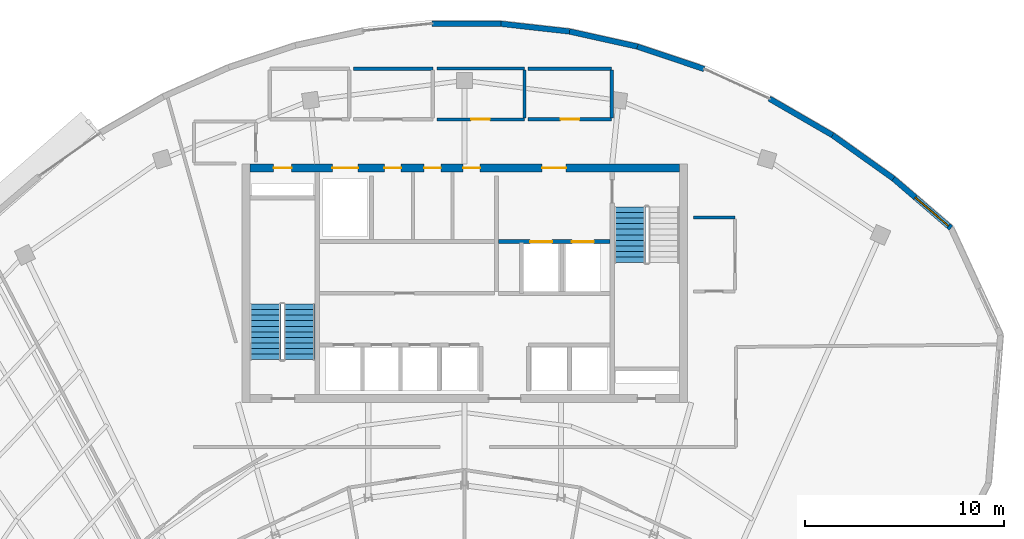
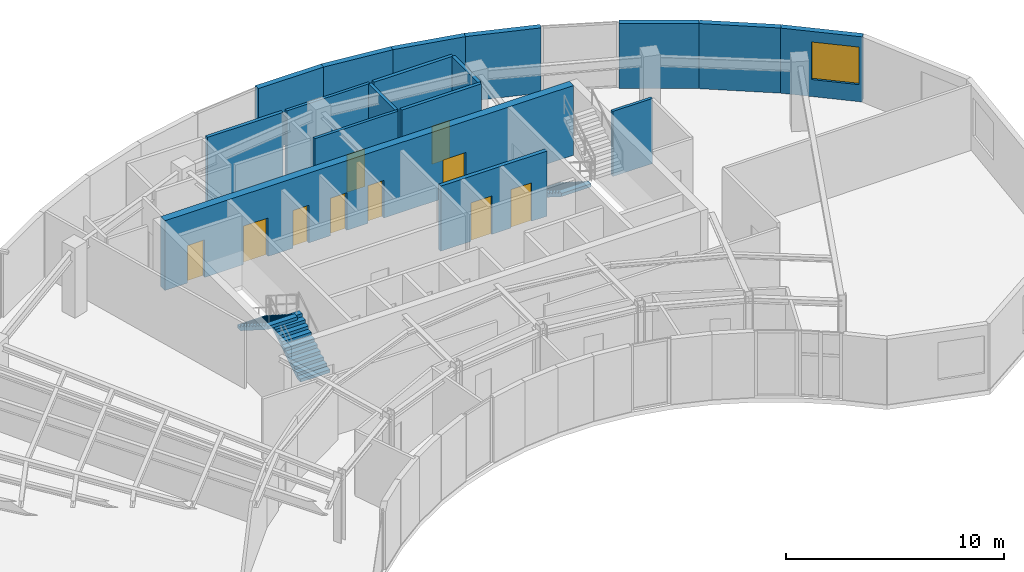
# One storey, part 11 of 13: 17 walls, 10 doors, 3 stair flights, 1 window, 11 openings, 2 elements without a shape of their own.
"""IFC4 building model written with IfcOpenShell, lengths in metres."""

import ifcopenshell
import ifcopenshell.guid

model = None  # the IFC model being written
_history = None  # IfcOwnerHistory: only IFC2X3 demands one
_inside = {}  # id of a spatial element -> (the spatial element, [elements in it])
_under = {}  # id of a project, library or spatial element -> (it, [spatial elements below it])
_declared = {}  # id of a project -> (the project, [libraries it declares])
_typed = {}  # id of a type object -> (the type object, [elements of that type])
_made_of = {}  # id of a material, layer set ... -> (it, [elements and type objects made of it])


def new_model(schema):
    """Start an empty IFC model of exactly this schema.

    Asked for "IFC4X3", IfcOpenShell would pick the latest addendum, in which some entities
    have other attributes; the version numbers below select the first issue.
    IFC2X3 requires an IfcOwnerHistory on every rooted entity: one is made here for all.
    """
    global model, _history
    if schema == "IFC4X3":
        model = ifcopenshell.file(schema_version=(4, 3, 0, 0))
    else:
        model = ifcopenshell.file(schema=schema)
    _inside.clear()
    _under.clear()
    _declared.clear()
    _typed.clear()
    _made_of.clear()
    _history = None
    if model.schema == "IFC2X3":
        org = make("IfcOrganization", Name="unknown")
        user = make(
            "IfcPersonAndOrganization",
            ThePerson=make("IfcPerson", FamilyName="unknown"),
            TheOrganization=org,
        )
        app = make(
            "IfcApplication",
            ApplicationDeveloper=org,
            Version="unknown",
            ApplicationFullName="unknown",
            ApplicationIdentifier="unknown",
        )
        _history = make(
            "IfcOwnerHistory",
            OwningUser=user,
            OwningApplication=app,
            ChangeAction="ADDED",
            CreationDate=0,
        )
    return model


def make(cls, **values):
    """One entity of the class cls with the attributes given. An attribute that is None is left unset."""
    return model.create_entity(
        cls, **{name: value for name, value in values.items() if value is not None}
    )


def rooted(cls, **values):
    """An entity with a GlobalId (a new one), such as an element, a storey or a relation."""
    return make(cls, GlobalId=ifcopenshell.guid.new(), OwnerHistory=_history, **values)


def si_unit(unit_type, name, prefix=None):
    """IfcSIUnit, for example si_unit("LENGTHUNIT", "METRE", prefix="MILLI")."""
    return make("IfcSIUnit", UnitType=unit_type, Prefix=prefix, Name=name)


def assignment(units):
    """IfcUnitAssignment: the units of a project."""
    return None if units is None else make("IfcUnitAssignment", Units=units)


def point(xyz):
    """IfcCartesianPoint."""
    return None if xyz is None else make("IfcCartesianPoint", Coordinates=xyz)


def direction(xyz):
    """IfcDirection."""
    return None if xyz is None else make("IfcDirection", DirectionRatios=xyz)


def frame(location, z_axis=None, x_axis=None):
    """IfcAxis2Placement3D, a coordinate frame: its origin and axes. An axis left out is left unset."""
    return make(
        "IfcAxis2Placement3D",
        Location=point(location),
        Axis=direction(z_axis),
        RefDirection=direction(x_axis),
    )


def frame_2d(location, x_axis=None):
    """IfcAxis2Placement2D, a coordinate frame in the plane: its origin and x axis."""
    return make(
        "IfcAxis2Placement2D", Location=point(location), RefDirection=direction(x_axis)
    )


def origin():
    """The frame at (0, 0, 0) with its axes left unset."""
    return frame((0.0, 0.0, 0.0))


def place(relative_to, where):
    """IfcLocalPlacement: puts the frame where relative to a parent placement (None: the world)."""
    return make(
        "IfcLocalPlacement", PlacementRelTo=relative_to, RelativePlacement=where
    )


def context(
    kind, dimensions, precision=None, world=None, true_north=None, identifier=None
):
    """IfcGeometricRepresentationContext, for example the 3D "Model" context."""
    return make(
        "IfcGeometricRepresentationContext",
        ContextIdentifier=identifier,
        ContextType=kind,
        CoordinateSpaceDimension=dimensions,
        Precision=precision,
        WorldCoordinateSystem=world,
        TrueNorth=true_north,
    )


def subcontext(parent, identifier, kind, view, scale=None):
    """IfcGeometricRepresentationSubContext, for example "Body" below "Model"."""
    return make(
        "IfcGeometricRepresentationSubContext",
        ContextIdentifier=identifier,
        ContextType=kind,
        ParentContext=parent,
        TargetScale=scale,
        TargetView=view,
    )


def project(units=None, contexts=None):
    """IfcProject with its units and contexts."""
    return rooted(
        "IfcProject",
        Name="project",
        RepresentationContexts=contexts,
        UnitsInContext=assignment(units),
    )


def spatial(cls, under=None, at=None, **own):
    """A site, building, storey or space (cls), placed at a placement, below another one or the project."""
    s = rooted(cls, ObjectPlacement=at, **own)
    if under is not None:
        _under.setdefault(under.id(), (under, []))[1].append(s)
    return s


def polyline(points):
    """IfcPolyline through the points."""
    return make("IfcPolyline", Points=[point(p) for p in points])


def profile(cls, at=None, kind="AREA", **sizes):
    """A parametric profile (cls). Its sizes go by their IFC names, for example OverallWidth=200.0."""
    return make(cls, ProfileType=kind, Position=at, **sizes)


def rectangle(**sizes):
    """IfcRectangleProfileDef."""
    return profile("IfcRectangleProfileDef", **sizes)


def outline(outer, holes=None, kind="AREA"):
    """IfcArbitraryClosedProfileDef: a profile drawn as a closed curve; with holes, ...WithVoids."""
    if holes is None:
        return make("IfcArbitraryClosedProfileDef", ProfileType=kind, OuterCurve=outer)
    return make(
        "IfcArbitraryProfileDefWithVoids",
        ProfileType=kind,
        OuterCurve=outer,
        InnerCurves=holes,
    )


def extrude(swept, where, along, depth):
    """IfcExtrudedAreaSolid: the profile swept, set in the frame where, extruded along a direction by depth."""
    return make(
        "IfcExtrudedAreaSolid",
        SweptArea=swept,
        Position=where,
        ExtrudedDirection=direction(along),
        Depth=depth,
    )


def shape(context_of_items, identifier, shape_type, items):
    """IfcShapeRepresentation: the items that make up one representation, for example the "Body"."""
    return make(
        "IfcShapeRepresentation",
        ContextOfItems=context_of_items,
        RepresentationIdentifier=identifier,
        RepresentationType=shape_type,
        Items=items,
    )


def source(mapping_origin, context_of_items, identifier, shape_type, items):
    """IfcRepresentationMap: a shape defined once, which mapped items show again and again."""
    return make(
        "IfcRepresentationMap",
        MappingOrigin=mapping_origin,
        MappedRepresentation=shape(context_of_items, identifier, shape_type, items),
    )


def transform(
    local_origin,
    x_axis=None,
    y_axis=None,
    z_axis=None,
    scale=None,
    scale2=None,
    scale3=None,
    uniform=True,
):
    """IfcCartesianTransformationOperator3D, or its non-uniform kind. x_axis, y_axis, z_axis: its Axis1, 2, 3."""
    if uniform:
        return make(
            "IfcCartesianTransformationOperator3D",
            Axis1=direction(x_axis),
            Axis2=direction(y_axis),
            LocalOrigin=point(local_origin),
            Scale=scale,
            Axis3=direction(z_axis),
        )
    return make(
        "IfcCartesianTransformationOperator3DnonUniform",
        Axis1=direction(x_axis),
        Axis2=direction(y_axis),
        LocalOrigin=point(local_origin),
        Scale=scale,
        Axis3=direction(z_axis),
        Scale2=scale2,
        Scale3=scale3,
    )


def mapped(mapping_source, mapping_target):
    """IfcMappedItem: shows the shape of a source again, moved by a transform."""
    return make(
        "IfcMappedItem", MappingSource=mapping_source, MappingTarget=mapping_target
    )


def material(Name=None, Category=None):
    """IfcMaterial."""
    return make("IfcMaterial", Name=Name, Category=Category)


def layer(
    of_material, thickness, ventilated=None, Name=None, Category=None, Priority=None
):
    """IfcMaterialLayer: one layer of a wall or slab, of a material (None: an air gap)."""
    return make(
        "IfcMaterialLayer",
        Material=of_material,
        LayerThickness=thickness,
        IsVentilated=ventilated,
        Name=Name,
        Category=Category,
        Priority=Priority,
    )


def layer_set(layers, Name=None):
    """IfcMaterialLayerSet."""
    return make("IfcMaterialLayerSet", MaterialLayers=layers, LayerSetName=Name)


def made_of(thing, what):
    """Note that an element or type object is made of a material, layer set ...; save() writes the relation."""
    if what is not None:
        _made_of.setdefault(what.id(), (what, []))[1].append(thing)
    return thing


def type_object(cls, material=None, **own):
    """A type object (cls), such as IfcWallType, which elements share."""
    return made_of(rooted(cls, **own), material)


def type_shapes(of_type, sources):
    """Give a type object the sources (RepresentationMaps) that its elements show as mapped items."""
    of_type.RepresentationMaps = sources


def element(
    cls,
    number,
    at=None,
    inside=None,
    cuts=None,
    type_object=None,
    material=None,
    context=None,
    identifier="Body",
    shape_type=None,
    held_by="IfcProductDefinitionShape",
    body=None,
    shapes=None,
    **own,
):
    """One element of the class cls, such as IfcWall. Its Tag is "e" and its number.

    at: its placement. inside: the storey or other place that contains it. cuts: it is an
    opening in that element (IfcRelVoidsElement). A single representation is given by context,
    identifier, shape_type and body (its items); several are given by shapes. held_by: the class
    of the entity that holds the representations. save() writes the other relations.
    """
    e = rooted(cls, Tag="e%d" % number, ObjectPlacement=at, **own)
    if body is not None:
        shapes = [shape(context, identifier, shape_type, body)]
    if shapes is not None:
        e.Representation = make(held_by, Representations=shapes)
    if inside is not None:
        _inside.setdefault(inside.id(), (inside, []))[1].append(e)
    if cuts is not None:
        rooted(
            "IfcRelVoidsElement", RelatingBuildingElement=cuts, RelatedOpeningElement=e
        )
    if type_object is not None:
        _typed.setdefault(type_object.id(), (type_object, []))[1].append(e)
    return made_of(e, material)


def fill(opening, filler):
    """IfcRelFillsElement: the door or window that sits in an opening."""
    return rooted(
        "IfcRelFillsElement",
        RelatingOpeningElement=opening,
        RelatedBuildingElement=filler,
    )


def aggregate(whole, parts):
    """IfcRelAggregates: a whole, such as a stair, and the parts it consists of."""
    return rooted("IfcRelAggregates", RelatingObject=whole, RelatedObjects=parts)


def save(model, path):
    """Write the relations noted so far, then the file.

    IfcRelAggregates (storeys below a building ...), IfcRelContainedInSpatialStructure (elements
    in a storey), IfcRelDefinesByType, IfcRelAssociatesMaterial and IfcRelDeclares: one each for
    every whole, place, type object, material and project.
    """
    for whole, parts in _under.values():
        aggregate(whole, parts)
    for where, things in _inside.values():
        rooted(
            "IfcRelContainedInSpatialStructure",
            RelatedElements=things,
            RelatingStructure=where,
        )
    for kind, things in _typed.values():
        rooted("IfcRelDefinesByType", RelatedObjects=things, RelatingType=kind)
    for what, things in _made_of.values():
        rooted("IfcRelAssociatesMaterial", RelatedObjects=things, RelatingMaterial=what)
    for by, libraries in _declared.values():
        rooted("IfcRelDeclares", RelatingContext=by, RelatedDefinitions=libraries)
    model.write(path)


model = new_model("IFC4")

# Units and contexts
model_context = context("Model", 3, precision=1e-05, world=origin(), true_north=direction((0.0, 1.0)))
body_context = subcontext(model_context, "Body", "Model", "MODEL_VIEW")
ifc_project = project(units=[si_unit("LENGTHUNIT", "METRE"), si_unit("AREAUNIT", "SQUARE_METRE"), si_unit("VOLUMEUNIT", "CUBIC_METRE"), si_unit("PLANEANGLEUNIT", "RADIAN"), si_unit("MASSUNIT", "GRAM", prefix="KILO")], contexts=[model_context])

# Site, building, storey
site_placement = place(None, origin())
site = spatial("IfcSite", under=ifc_project, at=site_placement, CompositionType="ELEMENT")
building_placement = place(site_placement, origin())
building = spatial("IfcBuilding", under=site, at=building_placement, Name="Breltana Convention Tower", CompositionType="ELEMENT")
storey_placement = place(building_placement, frame((0.0, 0.0, 271.800048828125)))
storey = spatial("IfcBuildingStorey", under=building, at=storey_placement, Name="L66", CompositionType="ELEMENT", Elevation=271.800048828125)

# Wall, openings, doors
ifc_material_1 = material(Name="Concrete C50/60", Category="concrete")
ifc_layer_1 = layer(ifc_material_1, 0.39990234375, Name="Concrete C50/60")
ifc_layer_set_1 = layer_set([ifc_layer_1], Name="Concrete C50/60")
wall_type_1 = type_object("IfcWallType", Name="SW-CORE-400", PredefinedType="SHEAR", material=ifc_layer_set_1)
shared_shape_1 = source(origin(), body_context, "Body", "SweptSolid", [
    extrude(rectangle(XDim=21.60009765625, YDim=0.39990234375, at=frame_2d((10.800048828125, 0.0))), origin(), (0.0, 0.0, 1.0), 3.89990234375),
])
wall_1_placement = place(storey_placement, frame((37.199951171875, 72.0, 0.0), z_axis=(0.0, 0.0, 1.0), x_axis=(1.0, 0.0, 0.0)))
wall_1 = element("IfcWall", 1, at=wall_1_placement, inside=storey, type_object=wall_type_1, Name="L66 North Core Shear Wall", PredefinedType="SHEAR", context=body_context, shape_type="MappedRepresentation", body=[
    mapped(shared_shape_1, transform((0.0, 0.0, 0.0), scale=1.0)),
])
opening_1_placement = place(wall_1_placement, frame((1.199951171875, 0.0, 0.0)))
opening_1 = element("IfcOpeningElement", 2, at=opening_1_placement, cuts=wall_1, Name="Opening D-18", PredefinedType="OPENING", context=body_context, shape_type="SweptSolid", body=[
    extrude(rectangle(XDim=0.89990234375, YDim=2.10009765625, at=frame_2d((0.449951171875, 1.050048828125))), frame((0.0, 0.2099609375, 0.0), z_axis=(0.0, -1.0, 0.0), x_axis=(1.0, 0.0, 0.0)), (0.0, 0.0, 1.0), 0.419921875),
])
opening_2_placement = place(wall_1_placement, frame((14.699951171875, 0.0, 0.0)))
opening_2 = element("IfcOpeningElement", 3, at=opening_2_placement, cuts=wall_1, Name="Opening D-09", PredefinedType="OPENING", context=body_context, shape_type="SweptSolid", body=[
    extrude(rectangle(XDim=1.199951171875, YDim=2.14990234375, at=frame_2d((0.60009765625, 1.074951171875))), frame((0.0, 0.2099609375, 0.0), z_axis=(0.0, -1.0, 0.0), x_axis=(1.0, 0.0, 0.0)), (0.0, 0.0, 1.0), 0.419921875),
])
opening_3_placement = place(wall_1_placement, frame((4.14990234375, 0.0, 0.0)))
opening_3 = element("IfcOpeningElement", 4, at=opening_3_placement, cuts=wall_1, Name="Opening LD-01", PredefinedType="OPENING", context=body_context, shape_type="SweptSolid", body=[
    extrude(rectangle(XDim=1.300048828125, YDim=2.14990234375, at=frame_2d((0.64990234375, 1.074951171875))), frame((0.0, 0.2099609375, 0.0), z_axis=(0.0, -1.0, 0.0), x_axis=(1.0, 0.0, 0.0)), (0.0, 0.0, 1.0), 0.419921875),
])
opening_4_placement = place(wall_1_placement, frame((6.760009765625, 0.0, 0.0)))
opening_4 = element("IfcOpeningElement", 5, at=opening_4_placement, cuts=wall_1, Name="Opening D-20", PredefinedType="OPENING", context=body_context, shape_type="SweptSolid", body=[
    extrude(rectangle(XDim=0.85009765625, YDim=2.10009765625, at=frame_2d((0.425048828125, 1.050048828125))), frame((0.0, 0.2099609375, 0.0), z_axis=(0.0, -1.0, 0.0), x_axis=(1.0, 0.0, 0.0)), (0.0, 0.0, 1.0), 0.419921875),
])
opening_5_placement = place(wall_1_placement, frame((8.760009765625, 0.0, 0.0)))
opening_5 = element("IfcOpeningElement", 6, at=opening_5_placement, cuts=wall_1, Name="Opening D-20", PredefinedType="OPENING", context=body_context, shape_type="SweptSolid", body=[
    extrude(rectangle(XDim=0.85009765625, YDim=2.10009765625, at=frame_2d((0.425048828125, 1.050048828125))), frame((0.0, 0.2099609375, 0.0), z_axis=(0.0, -1.0, 0.0), x_axis=(1.0, 0.0, 0.0)), (0.0, 0.0, 1.0), 0.419921875),
])
opening_6_placement = place(wall_1_placement, frame((10.72509765625, 0.0, 0.0)))
opening_6 = element("IfcOpeningElement", 7, at=opening_6_placement, cuts=wall_1, Name="Opening D-20", PredefinedType="OPENING", context=body_context, shape_type="SweptSolid", body=[
    extrude(rectangle(XDim=0.85009765625, YDim=2.10009765625, at=frame_2d((0.425048828125, 1.050048828125))), frame((0.0, 0.2099609375, 0.0), z_axis=(0.0, -1.0, 0.0), x_axis=(1.0, 0.0, 0.0)), (0.0, 0.0, 1.0), 0.419921875),
])
ifc_material_2 = material(Name="Steel Riser Fire Door", Category="steel")
door_type_1 = type_object("IfcDoorType", Name="DR-FD60-900", OperationType="NOTDEFINED", PredefinedType="DOOR", material=ifc_material_2)
shared_shape_2 = source(origin(), body_context, "Body", "SweptSolid", [
    extrude(rectangle(XDim=0.89990234375, YDim=2.10009765625, at=frame_2d((0.449951171875, 1.050048828125))), frame((0.0, 0.02490234375, 0.0), z_axis=(0.0, -1.0, 0.0), x_axis=(1.0, 0.0, 0.0)), (0.0, 0.0, 1.0), 0.050048828125),
])
type_shapes(door_type_1, [shared_shape_2])
door_1_placement = place(opening_1_placement, origin())
door_1 = element("IfcDoor", 8, at=door_1_placement, inside=storey, type_object=door_type_1, Name="L66 Core Riser Access Door D-L66-RS1", OperationType="SINGLE_SWING_LEFT", OverallHeight=2.10009765625, OverallWidth=0.89990234375, PredefinedType="DOOR", context=body_context, shape_type="MappedRepresentation", body=[
    mapped(shared_shape_2, transform((0.0, 0.0, 0.0), scale=1.0)),
])
fill(opening_1, door_1)
ifc_material_3 = material(Name="Steel Fire Lobby Door", Category="steel")
door_type_2 = type_object("IfcDoorType", Name="DR-FD120-1200", OperationType="NOTDEFINED", PredefinedType="DOOR", material=ifc_material_3)
shared_shape_3 = source(origin(), body_context, "Body", "SweptSolid", [
    extrude(rectangle(XDim=1.199951171875, YDim=2.14990234375, at=frame_2d((0.60009765625, 1.074951171875))), frame((0.0, 0.02490234375, 0.0), z_axis=(0.0, -1.0, 0.0), x_axis=(1.0, 0.0, 0.0)), (0.0, 0.0, 1.0), 0.050048828125),
])
type_shapes(door_type_2, [shared_shape_3])
door_2_placement = place(opening_2_placement, origin())
door_2 = element("IfcDoor", 9, at=door_2_placement, inside=storey, type_object=door_type_2, Name="L66 interior door D-L66-FFL-N", OperationType="SINGLE_SWING_RIGHT", OverallHeight=2.14990234375, OverallWidth=1.199951171875, PredefinedType="DOOR", context=body_context, shape_type="MappedRepresentation", body=[
    mapped(shared_shape_3, transform((0.0, 0.0, 0.0), scale=1.0)),
])
fill(opening_2, door_2)
ifc_material_4 = material(Name="Stainless Steel Brushed", Category="steel")
door_type_3 = type_object("IfcDoorType", Name="DR-LD-SRV-1300", OperationType="DOUBLE_DOOR_SLIDING", PredefinedType="DOOR", material=ifc_material_4)
shared_shape_4 = source(origin(), body_context, "Body", "SweptSolid", [
    extrude(rectangle(XDim=1.300048828125, YDim=2.14990234375, at=frame_2d((0.64990234375, 1.074951171875))), frame((0.0, 0.02490234375, 0.0), z_axis=(0.0, -1.0, 0.0), x_axis=(1.0, 0.0, 0.0)), (0.0, 0.0, 1.0), 0.050048828125),
])
type_shapes(door_type_3, [shared_shape_4])
door_3_placement = place(opening_3_placement, origin())
door_3 = element("IfcDoor", 10, at=door_3_placement, inside=storey, type_object=door_type_3, Name="L66 Lift Landing Door D-L66-LD-SV1", OperationType="DOUBLE_DOOR_SLIDING", OverallHeight=2.14990234375, OverallWidth=1.300048828125, PredefinedType="DOOR", context=body_context, shape_type="MappedRepresentation", body=[
    mapped(shared_shape_4, transform((0.0, 0.0, 0.0), scale=1.0)),
])
fill(opening_3, door_3)
ifc_material_5 = material(Name="Steel Closet Fire Door", Category="steel")
door_type_4 = type_object("IfcDoorType", Name="DR-FD60-850", OperationType="NOTDEFINED", PredefinedType="DOOR", material=ifc_material_5)
shared_shape_5 = source(origin(), body_context, "Body", "SweptSolid", [
    extrude(rectangle(XDim=0.85009765625, YDim=2.10009765625, at=frame_2d((0.425048828125, 1.050048828125))), frame((0.0, 0.02490234375, 0.0), z_axis=(0.0, -1.0, 0.0), x_axis=(1.0, 0.0, 0.0)), (0.0, 0.0, 1.0), 0.050048828125),
])
type_shapes(door_type_4, [shared_shape_5])
door_4_placement = place(opening_4_placement, origin())
door_4 = element("IfcDoor", 11, at=door_4_placement, inside=storey, type_object=door_type_4, Name="L66 interior door D-L66-CRA1", OperationType="SINGLE_SWING_RIGHT", OverallHeight=2.10009765625, OverallWidth=0.85009765625, PredefinedType="DOOR", context=body_context, shape_type="MappedRepresentation", body=[
    mapped(shared_shape_5, transform((0.0, 0.0, 0.0), scale=1.0)),
])
fill(opening_4, door_4)
door_5_placement = place(opening_5_placement, origin())
door_5 = element("IfcDoor", 12, at=door_5_placement, inside=storey, type_object=door_type_4, Name="L66 interior door D-L66-CRA2", OperationType="SINGLE_SWING_LEFT", OverallHeight=2.10009765625, OverallWidth=0.85009765625, PredefinedType="DOOR", context=body_context, shape_type="MappedRepresentation", body=[
    mapped(shared_shape_5, transform((0.0, 0.0, 0.0), scale=1.0)),
])
fill(opening_5, door_5)
door_6_placement = place(opening_6_placement, origin())
door_6 = element("IfcDoor", 13, at=door_6_placement, inside=storey, type_object=door_type_4, Name="L66 interior door D-L66-CRA3", OperationType="SINGLE_SWING_RIGHT", OverallHeight=2.10009765625, OverallWidth=0.85009765625, PredefinedType="DOOR", context=body_context, shape_type="MappedRepresentation", body=[
    mapped(shared_shape_5, transform((0.0, 0.0, 0.0), scale=1.0)),
])
fill(opening_6, door_6)

# Walls
ifc_material_6 = material(Name="Limestone Buff Insulated Wall", Category="masonry")
ifc_layer_2 = layer(ifc_material_6, 0.280029296875, Name="Limestone Buff Insulated Wall")
ifc_layer_set_2 = layer_set([ifc_layer_2], Name="Limestone Buff Insulated Wall")
wall_type_2 = type_object("IfcWallType", Name="WL-EXT-NOSE-280", PredefinedType="SOLIDWALL", material=ifc_layer_set_2)
shared_shape_6 = source(origin(), body_context, "Body", "SweptSolid", [
    extrude(rectangle(XDim=3.4609375, YDim=0.280029296875, at=frame_2d((1.73046875, 0.0))), origin(), (0.0, 0.0, 1.0), 3.639892578125),
])
wall_2_placement = place(storey_placement, frame((46.362548828125, 79.263671875, 0.0), z_axis=(0.0, 0.0, 1.0), x_axis=(0.999995611073, -0.002962740947, 0.0)))
element("IfcWall", 14, at=wall_2_placement, inside=storey, type_object=wall_type_2, Name="L66 curved limestone nose wall E28", PredefinedType="SOLIDWALL", context=body_context, shape_type="MappedRepresentation", body=[
    mapped(shared_shape_6, transform((0.0, 0.0, 0.0), scale=1.0)),
])
shared_shape_7 = source(origin(), body_context, "Body", "SweptSolid", [
    extrude(rectangle(XDim=3.470947265625, YDim=0.280029296875, at=frame_2d((1.7353515625, 0.0))), origin(), (0.0, 0.0, 1.0), 3.639892578125),
])
wall_3_placement = place(storey_placement, frame((49.823486328125, 79.25341796875, 0.0), z_axis=(0.0, 0.0, 1.0), x_axis=(0.993797657488, -0.111203489029, 0.0)))
element("IfcWall", 15, at=wall_3_placement, inside=storey, type_object=wall_type_2, Name="L66 curved limestone nose wall E29", PredefinedType="SOLIDWALL", context=body_context, shape_type="MappedRepresentation", body=[
    mapped(shared_shape_7, transform((0.0, 0.0, 0.0), scale=1.0)),
])
shared_shape_8 = source(origin(), body_context, "Body", "SweptSolid", [
    extrude(rectangle(XDim=3.49853515625, YDim=0.280029296875, at=frame_2d((1.749267578125, 0.0))), origin(), (0.0, 0.0, 1.0), 3.639892578125),
])
wall_4_placement = place(storey_placement, frame((53.27294921875, 78.867431640625, 0.0), z_axis=(0.0, 0.0, 1.0), x_axis=(0.976149279518, -0.217100400957, 0.0)))
element("IfcWall", 16, at=wall_4_placement, inside=storey, type_object=wall_type_2, Name="L66 curved limestone nose wall E30", PredefinedType="SOLIDWALL", context=body_context, shape_type="MappedRepresentation", body=[
    mapped(shared_shape_8, transform((0.0, 0.0, 0.0), scale=1.0)),
])
shared_shape_9 = source(origin(), body_context, "Body", "SweptSolid", [
    extrude(rectangle(XDim=3.54296875, YDim=0.280029296875, at=frame_2d((1.771484375, 0.0))), origin(), (0.0, 0.0, 1.0), 3.639892578125),
])
wall_5_placement = place(storey_placement, frame((56.68798828125, 78.10791015625, 0.0), z_axis=(0.0, 0.0, 1.0), x_axis=(0.947922565312, -0.318500879389, 0.0)))
element("IfcWall", 17, at=wall_5_placement, inside=storey, type_object=wall_type_2, Name="L66 curved limestone nose wall E31", PredefinedType="SOLIDWALL", context=body_context, shape_type="MappedRepresentation", body=[
    mapped(shared_shape_9, transform((0.0, 0.0, 0.0), scale=1.0)),
])
shared_shape_10 = source(origin(), body_context, "Body", "SweptSolid", [
    extrude(rectangle(XDim=3.6748046875, YDim=0.280029296875, at=frame_2d((1.83740234375, 0.0))), origin(), (0.0, 0.0, 1.0), 3.639892578125),
])
wall_6_placement = place(storey_placement, frame((63.326416015625, 75.489501953125, 0.0), z_axis=(0.0, 0.0, 1.0), x_axis=(0.865333783584, -0.501196012542, 0.0)))
element("IfcWall", 18, at=wall_6_placement, inside=storey, type_object=wall_type_2, Name="L66 curved limestone nose wall E32", PredefinedType="SOLIDWALL", context=body_context, shape_type="MappedRepresentation", body=[
    mapped(shared_shape_10, transform((0.0, 0.0, 0.0), scale=1.0)),
])
shared_shape_11 = source(origin(), body_context, "Body", "SweptSolid", [
    extrude(rectangle(XDim=3.75732421875, YDim=0.280029296875, at=frame_2d((1.878662109375, 0.0))), origin(), (0.0, 0.0, 1.0), 3.639892578125),
])
wall_7_placement = place(storey_placement, frame((66.50634765625, 73.647705078125, 0.0), z_axis=(0.0, 0.0, 1.0), x_axis=(0.814163502266, -0.580635678871, 0.0)))
element("IfcWall", 19, at=wall_7_placement, inside=storey, type_object=wall_type_2, Name="L66 curved limestone nose wall E33", PredefinedType="SOLIDWALL", context=body_context, shape_type="MappedRepresentation", body=[
    mapped(shared_shape_11, transform((0.0, 0.0, 0.0), scale=1.0)),
])

# Wall, opening, window
shared_shape_12 = source(origin(), body_context, "Body", "SweptSolid", [
    extrude(rectangle(XDim=3.816162109375, YDim=0.280029296875, at=frame_2d((1.908203125, 0.0))), origin(), (0.0, 0.0, 1.0), 3.639892578125),
])
wall_8_placement = place(storey_placement, frame((69.5654296875, 71.466064453125, 0.0), z_axis=(0.0, 0.0, 1.0), x_axis=(0.758388845672, -0.651802392417, 0.0)))
wall_8 = element("IfcWall", 20, at=wall_8_placement, inside=storey, type_object=wall_type_2, Name="L66 curved limestone nose wall E34", PredefinedType="SOLIDWALL", context=body_context, shape_type="MappedRepresentation", body=[
    mapped(shared_shape_12, transform((0.0, 0.0, 0.0), scale=1.0)),
])
opening_7_placement = place(wall_8_placement, frame((1.455810546875, 0.0, 0.949951171875)))
opening_7 = element("IfcOpeningElement", 21, at=opening_7_placement, cuts=wall_8, Name="Opening W-03", PredefinedType="OPENING", context=body_context, shape_type="SweptSolid", body=[
    extrude(rectangle(XDim=2.199951171875, YDim=2.10009765625, at=frame_2d((1.10009765625, 1.050048828125))), frame((0.0, 0.14990234375, 0.0), z_axis=(0.0, -1.0, 0.0), x_axis=(1.0, 0.0, 0.0)), (0.0, 0.0, 1.0), 0.300048828125),
])
ifc_material_7 = material(Name="Glass Low-E Insulated Window", Category="glass")
window_type = type_object("IfcWindowType", Name="WN-NOSE-2200X2100", PartitioningType="TRIPLE_PANEL_VERTICAL", PredefinedType="WINDOW", material=ifc_material_7)
shared_shape_13 = source(origin(), body_context, "Body", "SweptSolid", [
    extrude(rectangle(XDim=2.199951171875, YDim=2.10009765625, at=frame_2d((1.10009765625, 1.050048828125))), frame((0.0, 0.030029296875, 0.0), z_axis=(0.0, -1.0, 0.0), x_axis=(1.0, 0.0, 0.0)), (0.0, 0.0, 1.0), 0.06005859375),
])
type_shapes(window_type, [shared_shape_13])
window_placement = place(opening_7_placement, origin())
window = element("IfcWindow", 22, at=window_placement, inside=storey, type_object=window_type, Name="L66 nose window E34", OverallHeight=2.10009765625, OverallWidth=2.199951171875, PartitioningType="TRIPLE_PANEL_VERTICAL", PredefinedType="WINDOW", context=body_context, shape_type="MappedRepresentation", body=[
    mapped(shared_shape_13, transform((0.0, 0.0, 0.0), scale=1.0)),
])
fill(opening_7, window)

# Wall, openings, doors
ifc_material_8 = material(Name="Autoclaved Aerated Concrete Block", Category="concrete")
ifc_layer_3 = layer(ifc_material_8, 0.199951171875, Name="Autoclaved Aerated Concrete Block")
ifc_layer_set_3 = layer_set([ifc_layer_3], Name="Autoclaved Aerated Concrete Block")
wall_type_3 = type_object("IfcWallType", Name="WL-SHAFT-200", PredefinedType="SOLIDWALL", material=ifc_layer_set_3)
shared_shape_14 = source(origin(), body_context, "Body", "SweptSolid", [
    extrude(rectangle(XDim=5.6201171875, YDim=0.199951171875, at=frame_2d((2.81005859375, 0.0))), origin(), (0.0, 0.0, 1.0), 3.639892578125),
])
wall_9_placement = place(storey_placement, frame((49.699951171875, 68.300048828125, 0.0), z_axis=(0.0, 0.0, 1.0), x_axis=(1.0, 0.0, 0.0)))
wall_9 = element("IfcWall", 23, at=wall_9_placement, inside=storey, type_object=wall_type_3, Name="L66 interior partition W-L66-FFL-S", PredefinedType="SOLIDWALL", context=body_context, shape_type="MappedRepresentation", body=[
    mapped(shared_shape_14, transform((0.0, 0.0, 0.0), scale=1.0)),
])
opening_8_placement = place(wall_9_placement, frame((1.60009765625, 0.0, 0.0)))
opening_8 = element("IfcOpeningElement", 24, at=opening_8_placement, cuts=wall_9, Name="Opening LD-03", PredefinedType="OPENING", context=body_context, shape_type="SweptSolid", body=[
    extrude(rectangle(XDim=1.10009765625, YDim=2.14990234375, at=frame_2d((0.550048828125, 1.074951171875))), frame((0.0, 0.10986328125, 0.0), z_axis=(0.0, -1.0, 0.0), x_axis=(1.0, 0.0, 0.0)), (0.0, 0.0, 1.0), 0.219970703125),
])
opening_9_placement = place(wall_9_placement, frame((3.699951171875, 0.0, 0.0)))
opening_9 = element("IfcOpeningElement", 25, at=opening_9_placement, cuts=wall_9, Name="Opening LD-03", PredefinedType="OPENING", context=body_context, shape_type="SweptSolid", body=[
    extrude(rectangle(XDim=1.10009765625, YDim=2.14990234375, at=frame_2d((0.550048828125, 1.074951171875))), frame((0.0, 0.10986328125, 0.0), z_axis=(0.0, -1.0, 0.0), x_axis=(1.0, 0.0, 0.0)), (0.0, 0.0, 1.0), 0.219970703125),
])
door_type_5 = type_object("IfcDoorType", Name="DR-LD-FF-1100", OperationType="DOUBLE_DOOR_SLIDING", PredefinedType="DOOR", material=ifc_material_4)
shared_shape_15 = source(origin(), body_context, "Body", "SweptSolid", [
    extrude(rectangle(XDim=1.10009765625, YDim=2.14990234375, at=frame_2d((0.550048828125, 1.074951171875))), frame((0.0, 0.02490234375, 0.0), z_axis=(0.0, -1.0, 0.0), x_axis=(1.0, 0.0, 0.0)), (0.0, 0.0, 1.0), 0.050048828125),
])
type_shapes(door_type_5, [shared_shape_15])
door_7_placement = place(opening_8_placement, origin())
door_7 = element("IfcDoor", 26, at=door_7_placement, inside=storey, type_object=door_type_5, Name="L66 Lift Landing Door D-L66-LD-FL1", OperationType="DOUBLE_DOOR_SLIDING", OverallHeight=2.14990234375, OverallWidth=1.10009765625, PredefinedType="DOOR", context=body_context, shape_type="MappedRepresentation", body=[
    mapped(shared_shape_15, transform((0.0, 0.0, 0.0), scale=1.0)),
])
fill(opening_8, door_7)
door_8_placement = place(opening_9_placement, origin())
door_8 = element("IfcDoor", 27, at=door_8_placement, inside=storey, type_object=door_type_5, Name="L66 Lift Landing Door D-L66-LD-FL2", OperationType="DOUBLE_DOOR_SLIDING", OverallHeight=2.14990234375, OverallWidth=1.10009765625, PredefinedType="DOOR", context=body_context, shape_type="MappedRepresentation", body=[
    mapped(shared_shape_15, transform((0.0, 0.0, 0.0), scale=1.0)),
])
fill(opening_9, door_8)

# Walls
ifc_material_9 = material(Name="Gypsum Acoustic Drywall Partition")
ifc_layer_4 = layer(ifc_material_9, 0.14990234375, Name="Gypsum Acoustic Drywall Partition")
ifc_layer_set_4 = layer_set([ifc_layer_4], Name="Gypsum Acoustic Drywall Partition")
wall_type_4 = type_object("IfcWallType", Name="WL-PART-150", PredefinedType="PARTITIONING", material=ifc_layer_set_4)
shared_shape_16 = source(origin(), body_context, "Body", "SweptSolid", [
    extrude(rectangle(XDim=2.10009765625, YDim=0.14990234375, at=frame_2d((1.050048828125, 0.0))), origin(), (0.0, 0.0, 1.0), 3.639892578125),
])
wall_10_placement = place(storey_placement, frame((59.5, 69.5, 0.0), z_axis=(0.0, 0.0, 1.0), x_axis=(1.0, 0.0, 0.0)))
element("IfcWall", 28, at=wall_10_placement, inside=storey, type_object=wall_type_4, Name="L66 interior partition W-L66-CRSE-N", PredefinedType="PARTITIONING", context=body_context, shape_type="MappedRepresentation", body=[
    mapped(shared_shape_16, transform((0.0, 0.0, 0.0), scale=1.0)),
])
ifc_material_10 = material(Name="Moisture-Resistant Gypsum Chase Wall")
ifc_layer_5 = layer(ifc_material_10, 0.179931640625, Name="Moisture-Resistant Gypsum Chase Wall")
ifc_layer_set_5 = layer_set([ifc_layer_5], Name="Moisture-Resistant Gypsum Chase Wall")
wall_type_5 = type_object("IfcWallType", Name="WL-PLUMB-180", PredefinedType="PLUMBINGWALL", material=ifc_layer_set_5)
shared_shape_17 = source(origin(), body_context, "Body", "SweptSolid", [
    extrude(rectangle(XDim=4.0, YDim=0.179931640625, at=frame_2d((2.0, 0.0))), origin(), (0.0, 0.0, 1.0), 3.639892578125),
])
wall_11_placement = place(storey_placement, frame((42.39990234375, 77.0, 0.0), z_axis=(0.0, 0.0, 1.0), x_axis=(1.0, 0.0, 0.0)))
element("IfcWall", 29, at=wall_11_placement, inside=storey, type_object=wall_type_5, Name="L66 interior partition W-L66-WCF-N", PredefinedType="PLUMBINGWALL", context=body_context, shape_type="MappedRepresentation", body=[
    mapped(shared_shape_17, transform((0.0, 0.0, 0.0), scale=1.0)),
])
ifc_material_11 = material(Name="Cement Board Wet-Area Partition")
ifc_layer_6 = layer(ifc_material_11, 0.175048828125, Name="Cement Board Wet-Area Partition")
ifc_layer_set_6 = layer_set([ifc_layer_6], Name="Cement Board Wet-Area Partition")
wall_type_6 = type_object("IfcWallType", Name="WL-WET-175", PredefinedType="PARTITIONING", material=ifc_layer_set_6)
shared_shape_18 = source(origin(), body_context, "Body", "SweptSolid", [
    extrude(rectangle(XDim=2.402587890625, YDim=0.175048828125, at=frame_2d((1.201171875, 0.0))), origin(), (0.0, 0.0, 1.0), 3.639892578125),
])
wall_12_placement = place(storey_placement, frame((55.39990234375, 74.518798828125, 0.0), z_axis=(0.0, 0.0, 1.0), x_axis=(0.0, 1.0, 0.0)))
element("IfcWall", 30, at=wall_12_placement, inside=storey, type_object=wall_type_6, Name="L66 interior partition W-L66-WCA-E", PredefinedType="PARTITIONING", context=body_context, shape_type="MappedRepresentation", body=[
    mapped(shared_shape_18, transform((0.0, 0.0, 0.0), scale=1.0)),
])

# Wall, opening, door
shared_shape_19 = source(origin(), body_context, "Body", "SweptSolid", [
    extrude(rectangle(XDim=4.39990234375, YDim=0.14990234375, at=frame_2d((2.199951171875, 0.0))), origin(), (0.0, 0.0, 1.0), 3.639892578125),
])
wall_13_placement = place(storey_placement, frame((46.60009765625, 74.43994140625, 0.0), z_axis=(0.0, 0.0, 1.0), x_axis=(1.0, 0.0, 0.0)))
wall_13 = element("IfcWall", 31, at=wall_13_placement, inside=storey, type_object=wall_type_4, Name="L66 interior partition W-L66-PNT-S", PredefinedType="PARTITIONING", context=body_context, shape_type="MappedRepresentation", body=[
    mapped(shared_shape_19, transform((0.0, 0.0, 0.0), scale=1.0)),
])
opening_10_placement = place(wall_13_placement, frame((1.72509765625, 0.0, 0.0)))
opening_10 = element("IfcOpeningElement", 32, at=opening_10_placement, cuts=wall_13, Name="Opening D-17", PredefinedType="OPENING", context=body_context, shape_type="SweptSolid", body=[
    extrude(rectangle(XDim=0.949951171875, YDim=2.10009765625, at=frame_2d((0.47509765625, 1.050048828125))), frame((0.0, 0.0849609375, 0.0), z_axis=(0.0, -1.0, 0.0), x_axis=(1.0, 0.0, 0.0)), (0.0, 0.0, 1.0), 0.169921875),
])
ifc_material_12 = material(Name="Timber Oak Veneer Door", Category="wood")
door_type_6 = type_object("IfcDoorType", Name="DR-INT-950", OperationType="NOTDEFINED", PredefinedType="DOOR", material=ifc_material_12)
shared_shape_20 = source(origin(), body_context, "Body", "SweptSolid", [
    extrude(rectangle(XDim=0.949951171875, YDim=2.10009765625, at=frame_2d((0.47509765625, 1.050048828125))), frame((0.0, 0.02490234375, 0.0), z_axis=(0.0, -1.0, 0.0), x_axis=(1.0, 0.0, 0.0)), (0.0, 0.0, 1.0), 0.050048828125),
])
type_shapes(door_type_6, [shared_shape_20])
door_9_placement = place(opening_10_placement, origin())
door_9 = element("IfcDoor", 33, at=door_9_placement, inside=storey, type_object=door_type_6, Name="L66 interior door D-L66-PNT", OperationType="SINGLE_SWING_RIGHT", OverallHeight=2.10009765625, OverallWidth=0.949951171875, PredefinedType="DOOR", context=body_context, shape_type="MappedRepresentation", body=[
    mapped(shared_shape_20, transform((0.0, 0.0, 0.0), scale=1.0)),
])
fill(opening_10, door_9)

# Walls
wall_14_placement = place(storey_placement, frame((46.60009765625, 77.0, 0.0), z_axis=(0.0, 0.0, 1.0), x_axis=(1.0, 0.0, 0.0)))
element("IfcWall", 34, at=wall_14_placement, inside=storey, type_object=wall_type_4, Name="L66 interior partition W-L66-PNT-N", PredefinedType="PARTITIONING", context=body_context, shape_type="MappedRepresentation", body=[
    mapped(shared_shape_19, transform((0.0, 0.0, 0.0), scale=1.0)),
])
shared_shape_21 = source(origin(), body_context, "Body", "SweptSolid", [
    extrude(rectangle(XDim=2.425048828125, YDim=0.14990234375, at=frame_2d((1.21240234375, 0.0))), origin(), (0.0, 0.0, 1.0), 3.639892578125),
])
wall_15_placement = place(storey_placement, frame((51.0, 74.507568359375, 0.0), z_axis=(0.0, 0.0, 1.0), x_axis=(0.0, 1.0, 0.0)))
element("IfcWall", 35, at=wall_15_placement, inside=storey, type_object=wall_type_4, Name="L66 interior partition W-L66-PNT-E", PredefinedType="PARTITIONING", context=body_context, shape_type="MappedRepresentation", body=[
    mapped(shared_shape_21, transform((0.0, 0.0, 0.0), scale=1.0)),
])

# Wall, opening, door
shared_shape_22 = source(origin(), body_context, "Body", "SweptSolid", [
    extrude(rectangle(XDim=4.199951171875, YDim=0.175048828125, at=frame_2d((2.10009765625, 0.0))), origin(), (0.0, 0.0, 1.0), 3.639892578125),
])
wall_16_placement = place(storey_placement, frame((51.199951171875, 74.43994140625, 0.0), z_axis=(0.0, 0.0, 1.0), x_axis=(1.0, 0.0, 0.0)))
wall_16 = element("IfcWall", 36, at=wall_16_placement, inside=storey, type_object=wall_type_6, Name="L66 interior partition W-L66-WCA-S", PredefinedType="PARTITIONING", context=body_context, shape_type="MappedRepresentation", body=[
    mapped(shared_shape_22, transform((0.0, 0.0, 0.0), scale=1.0)),
])
opening_11_placement = place(wall_16_placement, frame((1.625, 0.0, 0.0)))
opening_11 = element("IfcOpeningElement", 37, at=opening_11_placement, cuts=wall_16, Name="Opening D-16", PredefinedType="OPENING", context=body_context, shape_type="SweptSolid", body=[
    extrude(rectangle(XDim=0.949951171875, YDim=2.1201171875, at=frame_2d((0.47509765625, 1.06005859375))), frame((0.0, 0.09765625, 0.0), z_axis=(0.0, -1.0, 0.0), x_axis=(1.0, 0.0, 0.0)), (0.0, 0.0, 1.0), 0.195068359375),
])
ifc_material_13 = material(Name="Timber Laminate Accessible Door", Category="wood")
door_type_7 = type_object("IfcDoorType", Name="DR-ACC-950", OperationType="NOTDEFINED", PredefinedType="DOOR", material=ifc_material_13)
shared_shape_23 = source(origin(), body_context, "Body", "SweptSolid", [
    extrude(rectangle(XDim=0.949951171875, YDim=2.1201171875, at=frame_2d((0.47509765625, 1.06005859375))), frame((0.0, 0.02490234375, 0.0), z_axis=(0.0, -1.0, 0.0), x_axis=(1.0, 0.0, 0.0)), (0.0, 0.0, 1.0), 0.050048828125),
])
type_shapes(door_type_7, [shared_shape_23])
door_10_placement = place(opening_11_placement, origin())
door_10 = element("IfcDoor", 38, at=door_10_placement, inside=storey, type_object=door_type_7, Name="L66 interior door D-L66-WCA", OperationType="SINGLE_SWING_LEFT", OverallHeight=2.1201171875, OverallWidth=0.949951171875, PredefinedType="DOOR", context=body_context, shape_type="MappedRepresentation", body=[
    mapped(shared_shape_23, transform((0.0, 0.0, 0.0), scale=1.0)),
])
fill(opening_11, door_10)

# Wall
shared_shape_24 = source(origin(), body_context, "Body", "SweptSolid", [
    extrude(rectangle(XDim=4.199951171875, YDim=0.179931640625, at=frame_2d((2.10009765625, 0.0))), origin(), (0.0, 0.0, 1.0), 3.639892578125),
])
wall_17_placement = place(storey_placement, frame((51.199951171875, 77.0, 0.0), z_axis=(0.0, 0.0, 1.0), x_axis=(1.0, 0.0, 0.0)))
element("IfcWall", 39, at=wall_17_placement, inside=storey, type_object=wall_type_5, Name="L66 interior partition W-L66-WCA-N", PredefinedType="PLUMBINGWALL", context=body_context, shape_type="MappedRepresentation", body=[
    mapped(shared_shape_24, transform((0.0, 0.0, 0.0), scale=1.0)),
])

# Stair, stair flights
ifc_material_14 = material(Name="Concrete C40/50", Category="concrete")
stair_type = type_object("IfcStairType", Name="ST-DOG-1560-R177", PredefinedType="HALF_TURN_STAIR", material=ifc_material_14)
stair_1_placement = place(storey_placement, origin())
stair_1 = element("IfcStair", 40, at=stair_1_placement, inside=storey, type_object=stair_type, Name="L66 Protected Core Exit Stair ST-1", PredefinedType="HALF_TURN_STAIR")
stair_flight_type = type_object("IfcStairFlightType", Name="STF-DOG-1560-N11-R177", PredefinedType="STRAIGHT", material=ifc_material_14)
stair_flight_1_placement = place(storey_placement, frame((39.68994140625, 62.360107421875, 0.0), z_axis=(0.0, 0.0, 1.0), x_axis=(0.0, 1.0, 0.0)))
stair_flight_1 = element("IfcStairFlight", 41, at=stair_flight_1_placement, type_object=stair_flight_type, Name="ST-1 flight 1", NumberOfRisers=11, NumberOfTreads=10, PredefinedType="STRAIGHT", RiserHeight=0.177272727, TreadLength=0.28, context=body_context, shape_type="SweptSolid", body=[
    extrude(outline(polyline([(0.0, 0.0), (0.0, 0.17724609375), (0.280029296875, 0.17724609375), (0.280029296875, 0.3544921875), (0.56005859375, 0.3544921875), (0.56005859375, 0.53173828125), (0.840087890625, 0.53173828125), (0.840087890625, 0.708984375), (1.1201171875, 0.708984375), (1.1201171875, 0.886474609375), (1.39990234375, 0.886474609375), (1.39990234375, 1.063720703125), (1.679931640625, 1.063720703125), (1.679931640625, 1.240966796875), (1.9599609375, 1.240966796875), (1.9599609375, 1.418212890625), (2.239990234375, 1.418212890625), (2.239990234375, 1.595458984375), (2.52001953125, 1.595458984375), (2.52001953125, 1.772705078125), (2.800048828125, 1.772705078125), (2.800048828125, 1.949951171875), (2.800048828125, 1.59521484375), (0.2802734375, 0.0), (0.0, 0.0)])), frame((0.0, 0.780029296875, 0.0), z_axis=(0.0, -1.0, 0.0), x_axis=(1.0, 0.0, 0.0)), (0.0, 0.0, 1.0), 1.56005859375),
])
stair_flight_2_placement = place(storey_placement, frame((37.97998046875, 65.159912109375, 1.949951171875), z_axis=(0.0, 0.0, 1.0), x_axis=(0.0, -1.0, 0.0)))
stair_flight_2 = element("IfcStairFlight", 42, at=stair_flight_2_placement, type_object=stair_flight_type, Name="ST-1 flight 2", NumberOfRisers=11, NumberOfTreads=10, PredefinedType="STRAIGHT", RiserHeight=0.177272727, TreadLength=0.28, context=body_context, shape_type="SweptSolid", body=[
    extrude(outline(polyline([(0.0, 0.0), (0.0, 0.17724609375), (0.280029296875, 0.17724609375), (0.280029296875, 0.3544921875), (0.56005859375, 0.3544921875), (0.56005859375, 0.53173828125), (0.840087890625, 0.53173828125), (0.840087890625, 0.708984375), (1.1201171875, 0.708984375), (1.1201171875, 0.886474609375), (1.39990234375, 0.886474609375), (1.39990234375, 1.063720703125), (1.679931640625, 1.063720703125), (1.679931640625, 1.240966796875), (1.9599609375, 1.240966796875), (1.9599609375, 1.418212890625), (2.239990234375, 1.418212890625), (2.239990234375, 1.595458984375), (2.52001953125, 1.595458984375), (2.52001953125, 1.772705078125), (2.800048828125, 1.772705078125), (2.800048828125, 1.949951171875), (2.800048828125, 1.59521484375), (0.2802734375, 0.0), (0.0, 0.0)])), frame((0.0, 0.780029296875, 0.0), z_axis=(0.0, -1.0, 0.0), x_axis=(1.0, 0.0, 0.0)), (0.0, 0.0, 1.0), 1.56005859375),
])
aggregate(stair_1, [stair_flight_1, stair_flight_2])

# Stair, stair flight
stair_2_placement = place(storey_placement, origin())
stair_2 = element("IfcStair", 43, at=stair_2_placement, inside=storey, type_object=stair_type, Name="L66 Protected Core Exit Stair ST-2", PredefinedType="HALF_TURN_STAIR")
stair_flight_3_placement = place(storey_placement, frame((56.31005859375, 70.0400390625, 0.0), z_axis=(0.0, 0.0, 1.0), x_axis=(0.0, -1.0, 0.0)))
stair_flight_3 = element("IfcStairFlight", 44, at=stair_flight_3_placement, type_object=stair_flight_type, Name="ST-2 flight 1", NumberOfRisers=11, NumberOfTreads=10, PredefinedType="STRAIGHT", RiserHeight=0.177272727, TreadLength=0.28, context=body_context, shape_type="SweptSolid", body=[
    extrude(outline(polyline([(0.0, 0.0), (0.0, 0.17724609375), (0.280029296875, 0.17724609375), (0.280029296875, 0.3544921875), (0.56005859375, 0.3544921875), (0.56005859375, 0.53173828125), (0.840087890625, 0.53173828125), (0.840087890625, 0.708984375), (1.1201171875, 0.708984375), (1.1201171875, 0.886474609375), (1.39990234375, 0.886474609375), (1.39990234375, 1.063720703125), (1.679931640625, 1.063720703125), (1.679931640625, 1.240966796875), (1.9599609375, 1.240966796875), (1.9599609375, 1.418212890625), (2.239990234375, 1.418212890625), (2.239990234375, 1.595458984375), (2.52001953125, 1.595458984375), (2.52001953125, 1.772705078125), (2.800048828125, 1.772705078125), (2.800048828125, 1.949951171875), (2.800048828125, 1.59521484375), (0.2802734375, 0.0), (0.0, 0.0)])), frame((0.0, 0.780029296875, 0.0), z_axis=(0.0, -1.0, 0.0), x_axis=(1.0, 0.0, 0.0)), (0.0, 0.0, 1.0), 1.56005859375),
])
aggregate(stair_2, [stair_flight_3])

save(model, "model.ifc")
